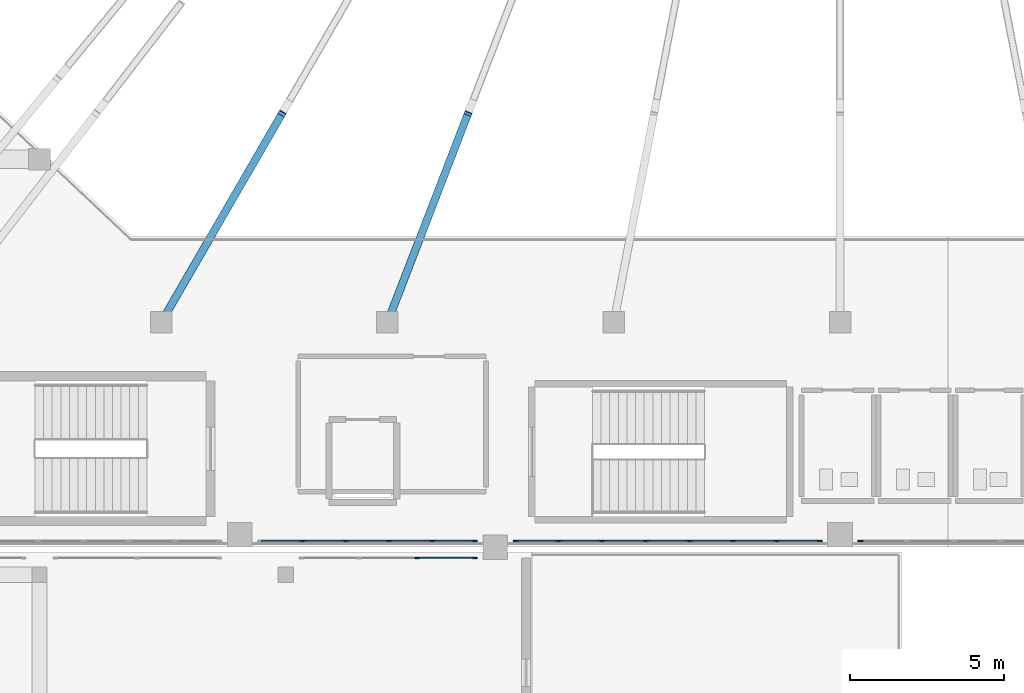
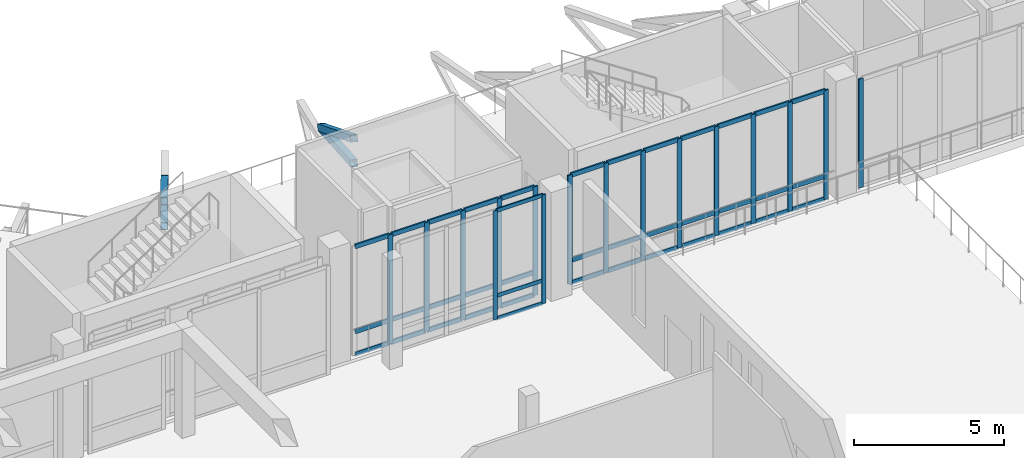
# One storey, part 8 of 79: 59 members, 4 elements without a shape of their own.
"""IFC4 building model written with IfcOpenShell, lengths in metres."""

import ifcopenshell
import ifcopenshell.guid

model = None  # the IFC model being written
_history = None  # IfcOwnerHistory: only IFC2X3 demands one
_inside = {}  # id of a spatial element -> (the spatial element, [elements in it])
_under = {}  # id of a project, library or spatial element -> (it, [spatial elements below it])
_declared = {}  # id of a project -> (the project, [libraries it declares])
_typed = {}  # id of a type object -> (the type object, [elements of that type])
_made_of = {}  # id of a material, layer set ... -> (it, [elements and type objects made of it])


def new_model(schema):
    """Start an empty IFC model of exactly this schema.

    Asked for "IFC4X3", IfcOpenShell would pick the latest addendum, in which some entities
    have other attributes; the version numbers below select the first issue.
    IFC2X3 requires an IfcOwnerHistory on every rooted entity: one is made here for all.
    """
    global model, _history
    if schema == "IFC4X3":
        model = ifcopenshell.file(schema_version=(4, 3, 0, 0))
    else:
        model = ifcopenshell.file(schema=schema)
    _inside.clear()
    _under.clear()
    _declared.clear()
    _typed.clear()
    _made_of.clear()
    _history = None
    if model.schema == "IFC2X3":
        org = make("IfcOrganization", Name="unknown")
        user = make(
            "IfcPersonAndOrganization",
            ThePerson=make("IfcPerson", FamilyName="unknown"),
            TheOrganization=org,
        )
        app = make(
            "IfcApplication",
            ApplicationDeveloper=org,
            Version="unknown",
            ApplicationFullName="unknown",
            ApplicationIdentifier="unknown",
        )
        _history = make(
            "IfcOwnerHistory",
            OwningUser=user,
            OwningApplication=app,
            ChangeAction="ADDED",
            CreationDate=0,
        )
    return model


def make(cls, **values):
    """One entity of the class cls with the attributes given. An attribute that is None is left unset."""
    return model.create_entity(
        cls, **{name: value for name, value in values.items() if value is not None}
    )


def rooted(cls, **values):
    """An entity with a GlobalId (a new one), such as an element, a storey or a relation."""
    return make(cls, GlobalId=ifcopenshell.guid.new(), OwnerHistory=_history, **values)


def si_unit(unit_type, name, prefix=None):
    """IfcSIUnit, for example si_unit("LENGTHUNIT", "METRE", prefix="MILLI")."""
    return make("IfcSIUnit", UnitType=unit_type, Prefix=prefix, Name=name)


def derived_unit(unit_type, elements):
    """IfcDerivedUnit: a product of units, each with its exponent."""
    return make(
        "IfcDerivedUnit",
        Elements=[
            make("IfcDerivedUnitElement", Unit=unit, Exponent=power)
            for unit, power in elements
        ],
        UnitType=unit_type,
    )


def assignment(units):
    """IfcUnitAssignment: the units of a project."""
    return None if units is None else make("IfcUnitAssignment", Units=units)


def point(xyz):
    """IfcCartesianPoint."""
    return None if xyz is None else make("IfcCartesianPoint", Coordinates=xyz)


def direction(xyz):
    """IfcDirection."""
    return None if xyz is None else make("IfcDirection", DirectionRatios=xyz)


def frame(location, z_axis=None, x_axis=None):
    """IfcAxis2Placement3D, a coordinate frame: its origin and axes. An axis left out is left unset."""
    return make(
        "IfcAxis2Placement3D",
        Location=point(location),
        Axis=direction(z_axis),
        RefDirection=direction(x_axis),
    )


def frame_2d(location, x_axis=None):
    """IfcAxis2Placement2D, a coordinate frame in the plane: its origin and x axis."""
    return make(
        "IfcAxis2Placement2D", Location=point(location), RefDirection=direction(x_axis)
    )


def origin():
    """The frame at (0, 0, 0) with its axes left unset."""
    return frame((0.0, 0.0, 0.0))


def origin_2d():
    """The frame at (0, 0) in the plane with its x axis left unset."""
    return frame_2d((0.0, 0.0))


def place(relative_to, where):
    """IfcLocalPlacement: puts the frame where relative to a parent placement (None: the world)."""
    return make(
        "IfcLocalPlacement", PlacementRelTo=relative_to, RelativePlacement=where
    )


def context(
    kind, dimensions, precision=None, world=None, true_north=None, identifier=None
):
    """IfcGeometricRepresentationContext, for example the 3D "Model" context."""
    return make(
        "IfcGeometricRepresentationContext",
        ContextIdentifier=identifier,
        ContextType=kind,
        CoordinateSpaceDimension=dimensions,
        Precision=precision,
        WorldCoordinateSystem=world,
        TrueNorth=true_north,
    )


def subcontext(parent, identifier, kind, view, scale=None):
    """IfcGeometricRepresentationSubContext, for example "Body" below "Model"."""
    return make(
        "IfcGeometricRepresentationSubContext",
        ContextIdentifier=identifier,
        ContextType=kind,
        ParentContext=parent,
        TargetScale=scale,
        TargetView=view,
    )


def project(units=None, contexts=None):
    """IfcProject with its units and contexts."""
    return rooted(
        "IfcProject",
        Name="project",
        RepresentationContexts=contexts,
        UnitsInContext=assignment(units),
    )


def spatial(cls, under=None, at=None, **own):
    """A site, building, storey or space (cls), placed at a placement, below another one or the project."""
    s = rooted(cls, ObjectPlacement=at, **own)
    if under is not None:
        _under.setdefault(under.id(), (under, []))[1].append(s)
    return s


def profile(cls, at=None, kind="AREA", **sizes):
    """A parametric profile (cls). Its sizes go by their IFC names, for example OverallWidth=200.0."""
    return make(cls, ProfileType=kind, Position=at, **sizes)


def rectangle(**sizes):
    """IfcRectangleProfileDef."""
    return profile("IfcRectangleProfileDef", **sizes)


def hollow_rectangle(**sizes):
    """IfcRectangleHollowProfileDef."""
    return profile("IfcRectangleHollowProfileDef", **sizes)


def extrude(swept, where, along, depth):
    """IfcExtrudedAreaSolid: the profile swept, set in the frame where, extruded along a direction by depth."""
    return make(
        "IfcExtrudedAreaSolid",
        SweptArea=swept,
        Position=where,
        ExtrudedDirection=direction(along),
        Depth=depth,
    )


def shape(context_of_items, identifier, shape_type, items):
    """IfcShapeRepresentation: the items that make up one representation, for example the "Body"."""
    return make(
        "IfcShapeRepresentation",
        ContextOfItems=context_of_items,
        RepresentationIdentifier=identifier,
        RepresentationType=shape_type,
        Items=items,
    )


def material(Name=None, Category=None):
    """IfcMaterial."""
    return make("IfcMaterial", Name=Name, Category=Category)


def layer(
    of_material, thickness, ventilated=None, Name=None, Category=None, Priority=None
):
    """IfcMaterialLayer: one layer of a wall or slab, of a material (None: an air gap)."""
    return make(
        "IfcMaterialLayer",
        Material=of_material,
        LayerThickness=thickness,
        IsVentilated=ventilated,
        Name=Name,
        Category=Category,
        Priority=Priority,
    )


def layer_set(layers, Name=None):
    """IfcMaterialLayerSet."""
    return make("IfcMaterialLayerSet", MaterialLayers=layers, LayerSetName=Name)


def material_profile(
    of_material, cross_section, Name=None, Category=None, Priority=None
):
    """IfcMaterialProfile: a cross section and its material."""
    return make(
        "IfcMaterialProfile",
        Name=Name,
        Material=of_material,
        Profile=cross_section,
        Priority=Priority,
        Category=Category,
    )


def profile_set(profiles, Name=None, composite=None):
    """IfcMaterialProfileSet."""
    return make(
        "IfcMaterialProfileSet",
        Name=Name,
        MaterialProfiles=profiles,
        CompositeProfile=composite,
    )


def made_of(thing, what):
    """Note that an element or type object is made of a material, layer set ...; save() writes the relation."""
    if what is not None:
        _made_of.setdefault(what.id(), (what, []))[1].append(thing)
    return thing


def type_object(cls, material=None, **own):
    """A type object (cls), such as IfcWallType, which elements share."""
    return made_of(rooted(cls, **own), material)


def element(
    cls,
    number,
    at=None,
    inside=None,
    cuts=None,
    type_object=None,
    material=None,
    context=None,
    identifier="Body",
    shape_type=None,
    held_by="IfcProductDefinitionShape",
    body=None,
    shapes=None,
    **own,
):
    """One element of the class cls, such as IfcWall. Its Tag is "e" and its number.

    at: its placement. inside: the storey or other place that contains it. cuts: it is an
    opening in that element (IfcRelVoidsElement). A single representation is given by context,
    identifier, shape_type and body (its items); several are given by shapes. held_by: the class
    of the entity that holds the representations. save() writes the other relations.
    """
    e = rooted(cls, Tag="e%d" % number, ObjectPlacement=at, **own)
    if body is not None:
        shapes = [shape(context, identifier, shape_type, body)]
    if shapes is not None:
        e.Representation = make(held_by, Representations=shapes)
    if inside is not None:
        _inside.setdefault(inside.id(), (inside, []))[1].append(e)
    if cuts is not None:
        rooted(
            "IfcRelVoidsElement", RelatingBuildingElement=cuts, RelatedOpeningElement=e
        )
    if type_object is not None:
        _typed.setdefault(type_object.id(), (type_object, []))[1].append(e)
    return made_of(e, material)


def aggregate(whole, parts):
    """IfcRelAggregates: a whole, such as a stair, and the parts it consists of."""
    return rooted("IfcRelAggregates", RelatingObject=whole, RelatedObjects=parts)


def save(model, path):
    """Write the relations noted so far, then the file.

    IfcRelAggregates (storeys below a building ...), IfcRelContainedInSpatialStructure (elements
    in a storey), IfcRelDefinesByType, IfcRelAssociatesMaterial and IfcRelDeclares: one each for
    every whole, place, type object, material and project.
    """
    for whole, parts in _under.values():
        aggregate(whole, parts)
    for where, things in _inside.values():
        rooted(
            "IfcRelContainedInSpatialStructure",
            RelatedElements=things,
            RelatingStructure=where,
        )
    for kind, things in _typed.values():
        rooted("IfcRelDefinesByType", RelatedObjects=things, RelatingType=kind)
    for what, things in _made_of.values():
        rooted("IfcRelAssociatesMaterial", RelatedObjects=things, RelatingMaterial=what)
    for by, libraries in _declared.values():
        rooted("IfcRelDeclares", RelatingContext=by, RelatedDefinitions=libraries)
    model.write(path)


model = new_model("IFC4")

# Units and contexts
model_context = context("Model", 3, precision=1e-05, world=origin(), true_north=direction((0.0, 1.0)))
body_context = subcontext(model_context, "Body", "Model", "MODEL_VIEW")
ifc_project = project(units=[si_unit("LENGTHUNIT", "METRE"), si_unit("AREAUNIT", "SQUARE_METRE"), si_unit("VOLUMEUNIT", "CUBIC_METRE"), si_unit("PLANEANGLEUNIT", "RADIAN"), si_unit("MASSUNIT", "GRAM", prefix="KILO"), derived_unit("THERMALTRANSMITTANCEUNIT", [(si_unit("MASSUNIT", "GRAM", prefix="KILO"), 1), (si_unit("TIMEUNIT", "SECOND"), -3), (si_unit("THERMODYNAMICTEMPERATUREUNIT", "KELVIN"), -1)])], contexts=[model_context])

# Site, building, storey
site_placement = place(None, origin())
site = spatial("IfcSite", under=ifc_project, at=site_placement, CompositionType="ELEMENT")
building_placement = place(site_placement, origin())
building = spatial("IfcBuilding", under=site, at=building_placement, Name="Valcora Ridge Arena", CompositionType="ELEMENT")
storey_placement = place(building_placement, frame((0.0, 0.0, 16.199951171875)))
storey = spatial("IfcBuildingStorey", under=building, at=storey_placement, Name="L03", CompositionType="ELEMENT", Elevation=16.199951171875)

# Curtain wall, members
ifc_material_1 = material(Name="Anodised dark bronze architectural aluminium 6063-T6", Category="aluminium")
ifc_layer_1 = layer(ifc_material_1, 0.14990234375, Name="Anodised dark bronze architectural aluminium 6063-T6")
ifc_layer_set_1 = layer_set([ifc_layer_1], Name="Anodised dark bronze architectural aluminium 6063-T6")
curtain_wall_type_1 = type_object("IfcCurtainWallType", Name="TY-CURTAINWALL-CW-V4-CLUB-057X44", PredefinedType="NOTDEFINED", material=ifc_layer_set_1)
curtain_wall_1_placement = place(storey_placement, origin())
curtain_wall_1 = element("IfcCurtainWall", 1, at=curtain_wall_1_placement, inside=storey, type_object=curtain_wall_type_1, Name="CW-V4-CLUB-057X44 CW-0284", PredefinedType="NOTDEFINED")
ifc_material_profile_1 = material_profile(ifc_material_1, rectangle(XDim=0.050048828125, YDim=0.14990234375, at=origin_2d()), Name="ALU MULLION 50x150")
ifc_profile_set_1 = profile_set([ifc_material_profile_1], Name="Anodised dark bronze architectural aluminium 6063-T6")
member_type_1 = type_object("IfcMemberType", Name="TY-MEM-CWM-50x150", PredefinedType="MULLION", material=ifc_profile_set_1)
member_1_placement = place(storey_placement, frame((44.27001953125, 19.64990234375, 0.0), z_axis=(0.0, 0.0, 1.0), x_axis=(0.0, 1.0, 0.0)))
member_1 = element("IfcMember", 2, at=member_1_placement, type_object=member_type_1, Name="CW-0284/CWM-50x150/M02", PredefinedType="MULLION", context=body_context, shape_type="SweptSolid", body=[
    extrude(rectangle(XDim=0.050048828125, YDim=0.14990234375, at=origin_2d()), origin(), (0.0, 0.0, 1.0), 4.43994140625),
])
member_2_placement = place(storey_placement, frame((46.135009765625, 19.64990234375, 0.0), z_axis=(0.0, 0.0, 1.0), x_axis=(0.0, 1.0, 0.0)))
member_2 = element("IfcMember", 3, at=member_2_placement, type_object=member_type_1, Name="CW-0284/CWM-50x150/M03", PredefinedType="MULLION", context=body_context, shape_type="SweptSolid", body=[
    extrude(rectangle(XDim=0.050048828125, YDim=0.14990234375, at=origin_2d()), origin(), (0.0, 0.0, 1.0), 4.43994140625),
])

ifc_layer_2 = layer(ifc_material_1, 0.179931640625, Name="Anodised dark bronze architectural aluminium 6063-T6")
ifc_layer_set_2 = layer_set([ifc_layer_2], Name="Anodised dark bronze architectural aluminium 6063-T6")
curtain_wall_type_2 = type_object("IfcCurtainWallType", Name="TY-CURTAINWALL-CW-V1-GOTH-070X44", PredefinedType="NOTDEFINED", material=ifc_layer_set_2)
curtain_wall_2_placement = place(storey_placement, origin())
curtain_wall_2 = element("IfcCurtainWall", 4, at=curtain_wall_2_placement, inside=storey, type_object=curtain_wall_type_2, Name="CW-V1-GOTH-070X44 CW-0137", PredefinedType="NOTDEFINED")
ifc_material_profile_2 = material_profile(ifc_material_1, rectangle(XDim=0.06005859375, YDim=0.179931640625, at=origin_2d()), Name="ALU MULLION 60x180")
ifc_profile_set_2 = profile_set([ifc_material_profile_2], Name="Anodised dark bronze architectural aluminium 6063-T6")
member_type_2 = type_object("IfcMemberType", Name="TY-MEM-CWM-60x180", PredefinedType="MULLION", material=ifc_profile_set_2)
member_3_placement = place(storey_placement, frame((40.5439453125, 20.199951171875, 0.0), z_axis=(0.0, 0.0, 1.0), x_axis=(0.0, 1.0, 0.0)))
member_3 = element("IfcMember", 5, at=member_3_placement, type_object=member_type_2, Name="CW-0137/CWM-60x180/M01", PredefinedType="MULLION", context=body_context, shape_type="SweptSolid", body=[
    extrude(rectangle(XDim=0.06005859375, YDim=0.179931640625, at=origin_2d()), origin(), (0.0, 0.0, 1.0), 4.43994140625),
])
member_4_placement = place(storey_placement, frame((41.947998046875, 20.199951171875, 0.0), z_axis=(0.0, 0.0, 1.0), x_axis=(0.0, 1.0, 0.0)))
member_4 = element("IfcMember", 6, at=member_4_placement, type_object=member_type_2, Name="CW-0137/CWM-60x180/M02", PredefinedType="MULLION", context=body_context, shape_type="SweptSolid", body=[
    extrude(rectangle(XDim=0.06005859375, YDim=0.179931640625, at=origin_2d()), origin(), (0.0, 0.0, 1.0), 4.43994140625),
])
member_5_placement = place(storey_placement, frame((43.35205078125, 20.199951171875, 0.0), z_axis=(0.0, 0.0, 1.0), x_axis=(0.0, 1.0, 0.0)))
member_5 = element("IfcMember", 7, at=member_5_placement, type_object=member_type_2, Name="CW-0137/CWM-60x180/M03", PredefinedType="MULLION", context=body_context, shape_type="SweptSolid", body=[
    extrude(rectangle(XDim=0.06005859375, YDim=0.179931640625, at=origin_2d()), origin(), (0.0, 0.0, 1.0), 4.43994140625),
])
member_6_placement = place(storey_placement, frame((44.756103515625, 20.199951171875, 0.0), z_axis=(0.0, 0.0, 1.0), x_axis=(0.0, 1.0, 0.0)))
member_6 = element("IfcMember", 8, at=member_6_placement, type_object=member_type_2, Name="CW-0137/CWM-60x180/M04", PredefinedType="MULLION", context=body_context, shape_type="SweptSolid", body=[
    extrude(rectangle(XDim=0.06005859375, YDim=0.179931640625, at=origin_2d()), origin(), (0.0, 0.0, 1.0), 4.43994140625),
])
member_7_placement = place(storey_placement, frame((46.1298828125, 20.199951171875, 0.0), z_axis=(0.0, 0.0, 1.0), x_axis=(0.0, 1.0, 0.0)))
member_7 = element("IfcMember", 9, at=member_7_placement, type_object=member_type_2, Name="CW-0137/CWM-60x180/M05", PredefinedType="MULLION", context=body_context, shape_type="SweptSolid", body=[
    extrude(rectangle(XDim=0.06005859375, YDim=0.179931640625, at=origin_2d()), origin(), (0.0, 0.0, 1.0), 4.43994140625),
])

ifc_layer_3 = layer(ifc_material_1, 0.179931640625, Name="Anodised dark bronze architectural aluminium 6063-T6")
ifc_layer_set_3 = layer_set([ifc_layer_3], Name="Anodised dark bronze architectural aluminium 6063-T6")
curtain_wall_type_3 = type_object("IfcCurtainWallType", Name="TY-CURTAINWALL-CW-V1-GOTH-099X44", PredefinedType="NOTDEFINED", material=ifc_layer_set_3)
curtain_wall_3_placement = place(storey_placement, origin())
curtain_wall_3 = element("IfcCurtainWall", 10, at=curtain_wall_3_placement, inside=storey, type_object=curtain_wall_type_3, Name="CW-V1-GOTH-099X44 CW-0138", PredefinedType="NOTDEFINED")
member_8_placement = place(storey_placement, frame((47.469970703125, 20.199951171875, 0.0), z_axis=(0.0, 0.0, 1.0), x_axis=(0.0, 1.0, 0.0)))
member_8 = element("IfcMember", 11, at=member_8_placement, type_object=member_type_2, Name="CW-0138/CWM-60x180/M00", PredefinedType="MULLION", context=body_context, shape_type="SweptSolid", body=[
    extrude(rectangle(XDim=0.06005859375, YDim=0.179931640625, at=origin_2d()), origin(), (0.0, 0.0, 1.0), 4.43994140625),
])
member_9_placement = place(storey_placement, frame((48.857177734375, 20.199951171875, 0.0), z_axis=(0.0, 0.0, 1.0), x_axis=(0.0, 1.0, 0.0)))
member_9 = element("IfcMember", 12, at=member_9_placement, type_object=member_type_2, Name="CW-0138/CWM-60x180/M01", PredefinedType="MULLION", context=body_context, shape_type="SweptSolid", body=[
    extrude(rectangle(XDim=0.06005859375, YDim=0.179931640625, at=origin_2d()), origin(), (0.0, 0.0, 1.0), 4.43994140625),
])
member_10_placement = place(storey_placement, frame((50.2744140625, 20.199951171875, 0.0), z_axis=(0.0, 0.0, 1.0), x_axis=(0.0, 1.0, 0.0)))
member_10 = element("IfcMember", 13, at=member_10_placement, type_object=member_type_2, Name="CW-0138/CWM-60x180/M02", PredefinedType="MULLION", context=body_context, shape_type="SweptSolid", body=[
    extrude(rectangle(XDim=0.06005859375, YDim=0.179931640625, at=origin_2d()), origin(), (0.0, 0.0, 1.0), 4.43994140625),
])
member_11_placement = place(storey_placement, frame((51.69140625, 20.199951171875, 0.0), z_axis=(0.0, 0.0, 1.0), x_axis=(0.0, 1.0, 0.0)))
member_11 = element("IfcMember", 14, at=member_11_placement, type_object=member_type_2, Name="CW-0138/CWM-60x180/M03", PredefinedType="MULLION", context=body_context, shape_type="SweptSolid", body=[
    extrude(rectangle(XDim=0.06005859375, YDim=0.179931640625, at=origin_2d()), origin(), (0.0, 0.0, 1.0), 4.43994140625),
])
member_12_placement = place(storey_placement, frame((53.108642578125, 20.199951171875, 0.0), z_axis=(0.0, 0.0, 1.0), x_axis=(0.0, 1.0, 0.0)))
member_12 = element("IfcMember", 15, at=member_12_placement, type_object=member_type_2, Name="CW-0138/CWM-60x180/M04", PredefinedType="MULLION", context=body_context, shape_type="SweptSolid", body=[
    extrude(rectangle(XDim=0.06005859375, YDim=0.179931640625, at=origin_2d()), origin(), (0.0, 0.0, 1.0), 4.43994140625),
])
member_13_placement = place(storey_placement, frame((54.525634765625, 20.199951171875, 0.0), z_axis=(0.0, 0.0, 1.0), x_axis=(0.0, 1.0, 0.0)))
member_13 = element("IfcMember", 16, at=member_13_placement, type_object=member_type_2, Name="CW-0138/CWM-60x180/M05", PredefinedType="MULLION", context=body_context, shape_type="SweptSolid", body=[
    extrude(rectangle(XDim=0.06005859375, YDim=0.179931640625, at=origin_2d()), origin(), (0.0, 0.0, 1.0), 4.43994140625),
])
member_14_placement = place(storey_placement, frame((55.94287109375, 20.199951171875, 0.0), z_axis=(0.0, 0.0, 1.0), x_axis=(0.0, 1.0, 0.0)))
member_14 = element("IfcMember", 17, at=member_14_placement, type_object=member_type_2, Name="CW-0138/CWM-60x180/M06", PredefinedType="MULLION", context=body_context, shape_type="SweptSolid", body=[
    extrude(rectangle(XDim=0.06005859375, YDim=0.179931640625, at=origin_2d()), origin(), (0.0, 0.0, 1.0), 4.43994140625),
])
member_15_placement = place(storey_placement, frame((57.330078125, 20.199951171875, 0.0), z_axis=(0.0, 0.0, 1.0), x_axis=(0.0, 1.0, 0.0)))
member_15 = element("IfcMember", 18, at=member_15_placement, type_object=member_type_2, Name="CW-0138/CWM-60x180/M07", PredefinedType="MULLION", context=body_context, shape_type="SweptSolid", body=[
    extrude(rectangle(XDim=0.06005859375, YDim=0.179931640625, at=origin_2d()), origin(), (0.0, 0.0, 1.0), 4.43994140625),
])

# Curtain wall, member
ifc_layer_4 = layer(ifc_material_1, 0.179931640625, Name="Anodised dark bronze architectural aluminium 6063-T6")
ifc_layer_set_4 = layer_set([ifc_layer_4], Name="Anodised dark bronze architectural aluminium 6063-T6")
curtain_wall_type_4 = type_object("IfcCurtainWallType", Name="TY-CURTAINWALL-CW-V1-GOTH-107X44", PredefinedType="NOTDEFINED", material=ifc_layer_set_4)
curtain_wall_4_placement = place(storey_placement, origin())
curtain_wall_4 = element("IfcCurtainWall", 19, at=curtain_wall_4_placement, inside=storey, type_object=curtain_wall_type_4, Name="CW-V1-GOTH-107X44 CW-0139", PredefinedType="NOTDEFINED")
member_16_placement = place(storey_placement, frame((58.669921875, 20.199951171875, 0.0), z_axis=(0.0, 0.0, 1.0), x_axis=(0.0, 1.0, 0.0)))
member_16 = element("IfcMember", 20, at=member_16_placement, type_object=member_type_2, Name="CW-0139/CWM-60x180/M00", PredefinedType="MULLION", context=body_context, shape_type="SweptSolid", body=[
    extrude(rectangle(XDim=0.06005859375, YDim=0.179931640625, at=origin_2d()), origin(), (0.0, 0.0, 1.0), 4.43994140625),
])
aggregate(curtain_wall_4, [member_16])

# Member
ifc_material_profile_3 = material_profile(ifc_material_1, rectangle(XDim=0.050048828125, YDim=0.14990234375, at=origin_2d()), Name="ALU TRANSOM 50x150")
ifc_profile_set_3 = profile_set([ifc_material_profile_3], Name="Anodised dark bronze architectural aluminium 6063-T6")
member_type_3 = type_object("IfcMemberType", Name="TY-MEM-CWT-50x150", PredefinedType="USERDEFINED", material=ifc_profile_set_3)
member_17_placement = place(storey_placement, frame((44.294921875, 19.64990234375, 0.025146484375), z_axis=(1.0, 0.0, 0.0), x_axis=(0.0, 1.0, 0.0)))
member_17 = element("IfcMember", 21, at=member_17_placement, type_object=member_type_3, Name="CW-0284/CWT-50x150/T02-00", ObjectType="TRANSOM", PredefinedType="USERDEFINED", context=body_context, shape_type="SweptSolid", body=[
    extrude(rectangle(XDim=0.050048828125, YDim=0.14990234375, at=origin_2d()), origin(), (0.0, 0.0, 1.0), 1.815185546875),
])

member_18_placement = place(storey_placement, frame((44.294921875, 19.64990234375, 0.949951171875), z_axis=(1.0, 0.0, 0.0), x_axis=(0.0, 1.0, 0.0)))
member_18 = element("IfcMember", 22, at=member_18_placement, type_object=member_type_3, Name="CW-0284/CWT-50x150/T02-01", ObjectType="TRANSOM", PredefinedType="USERDEFINED", context=body_context, shape_type="SweptSolid", body=[
    extrude(rectangle(XDim=0.050048828125, YDim=0.14990234375, at=origin_2d()), origin(), (0.0, 0.0, 1.0), 1.815185546875),
])

member_19_placement = place(storey_placement, frame((44.294921875, 19.64990234375, 4.4150390625), z_axis=(1.0, 0.0, 0.0), x_axis=(0.0, 1.0, 0.0)))
member_19 = element("IfcMember", 23, at=member_19_placement, type_object=member_type_3, Name="CW-0284/CWT-50x150/T02-02", ObjectType="TRANSOM", PredefinedType="USERDEFINED", context=body_context, shape_type="SweptSolid", body=[
    extrude(rectangle(XDim=0.050048828125, YDim=0.14990234375, at=origin_2d()), origin(), (0.0, 0.0, 1.0), 1.815185546875),
])

aggregate(curtain_wall_1, [member_1, member_2, member_17, member_18, member_19])

ifc_material_profile_4 = material_profile(ifc_material_1, rectangle(XDim=0.06005859375, YDim=0.179931640625, at=origin_2d()), Name="ALU TRANSOM 60x180")
ifc_profile_set_4 = profile_set([ifc_material_profile_4], Name="Anodised dark bronze architectural aluminium 6063-T6")
member_type_4 = type_object("IfcMemberType", Name="TY-MEM-CWT-60x180", PredefinedType="USERDEFINED", material=ifc_profile_set_4)
member_20_placement = place(storey_placement, frame((39.199951171875, 20.199951171875, 0.030029296875), z_axis=(1.0, 0.0, 0.0), x_axis=(0.0, 1.0, 0.0)))
member_20 = element("IfcMember", 24, at=member_20_placement, type_object=member_type_4, Name="CW-0137/CWT-60x180/T00-00", ObjectType="TRANSOM", PredefinedType="USERDEFINED", context=body_context, shape_type="SweptSolid", body=[
    extrude(rectangle(XDim=0.06005859375, YDim=0.179931640625, at=origin_2d()), origin(), (0.0, 0.0, 1.0), 1.31396484375),
])

member_21_placement = place(storey_placement, frame((39.199951171875, 20.199951171875, 0.949951171875), z_axis=(1.0, 0.0, 0.0), x_axis=(0.0, 1.0, 0.0)))
member_21 = element("IfcMember", 25, at=member_21_placement, type_object=member_type_4, Name="CW-0137/CWT-60x180/T00-01", ObjectType="TRANSOM", PredefinedType="USERDEFINED", context=body_context, shape_type="SweptSolid", body=[
    extrude(rectangle(XDim=0.06005859375, YDim=0.179931640625, at=origin_2d()), origin(), (0.0, 0.0, 1.0), 1.31396484375),
])

member_22_placement = place(storey_placement, frame((39.199951171875, 20.199951171875, 4.41015625), z_axis=(1.0, 0.0, 0.0), x_axis=(0.0, 1.0, 0.0)))
member_22 = element("IfcMember", 26, at=member_22_placement, type_object=member_type_4, Name="CW-0137/CWT-60x180/T00-02", ObjectType="TRANSOM", PredefinedType="USERDEFINED", context=body_context, shape_type="SweptSolid", body=[
    extrude(rectangle(XDim=0.06005859375, YDim=0.179931640625, at=origin_2d()), origin(), (0.0, 0.0, 1.0), 1.31396484375),
])

member_23_placement = place(storey_placement, frame((40.573974609375, 20.199951171875, 0.030029296875), z_axis=(1.0, 0.0, 0.0), x_axis=(0.0, 1.0, 0.0)))
member_23 = element("IfcMember", 27, at=member_23_placement, type_object=member_type_4, Name="CW-0137/CWT-60x180/T01-00", ObjectType="TRANSOM", PredefinedType="USERDEFINED", context=body_context, shape_type="SweptSolid", body=[
    extrude(rectangle(XDim=0.06005859375, YDim=0.179931640625, at=origin_2d()), origin(), (0.0, 0.0, 1.0), 1.343994140625),
])

member_24_placement = place(storey_placement, frame((40.573974609375, 20.199951171875, 0.949951171875), z_axis=(1.0, 0.0, 0.0), x_axis=(0.0, 1.0, 0.0)))
member_24 = element("IfcMember", 28, at=member_24_placement, type_object=member_type_4, Name="CW-0137/CWT-60x180/T01-01", ObjectType="TRANSOM", PredefinedType="USERDEFINED", context=body_context, shape_type="SweptSolid", body=[
    extrude(rectangle(XDim=0.06005859375, YDim=0.179931640625, at=origin_2d()), origin(), (0.0, 0.0, 1.0), 1.343994140625),
])

member_25_placement = place(storey_placement, frame((40.573974609375, 20.199951171875, 4.41015625), z_axis=(1.0, 0.0, 0.0), x_axis=(0.0, 1.0, 0.0)))
member_25 = element("IfcMember", 29, at=member_25_placement, type_object=member_type_4, Name="CW-0137/CWT-60x180/T01-02", ObjectType="TRANSOM", PredefinedType="USERDEFINED", context=body_context, shape_type="SweptSolid", body=[
    extrude(rectangle(XDim=0.06005859375, YDim=0.179931640625, at=origin_2d()), origin(), (0.0, 0.0, 1.0), 1.343994140625),
])

member_26_placement = place(storey_placement, frame((41.97802734375, 20.199951171875, 0.030029296875), z_axis=(1.0, 0.0, 0.0), x_axis=(0.0, 1.0, 0.0)))
member_26 = element("IfcMember", 30, at=member_26_placement, type_object=member_type_4, Name="CW-0137/CWT-60x180/T02-00", ObjectType="TRANSOM", PredefinedType="USERDEFINED", context=body_context, shape_type="SweptSolid", body=[
    extrude(rectangle(XDim=0.06005859375, YDim=0.179931640625, at=origin_2d()), origin(), (0.0, 0.0, 1.0), 1.343994140625),
])

member_27_placement = place(storey_placement, frame((41.97802734375, 20.199951171875, 0.949951171875), z_axis=(1.0, 0.0, 0.0), x_axis=(0.0, 1.0, 0.0)))
member_27 = element("IfcMember", 31, at=member_27_placement, type_object=member_type_4, Name="CW-0137/CWT-60x180/T02-01", ObjectType="TRANSOM", PredefinedType="USERDEFINED", context=body_context, shape_type="SweptSolid", body=[
    extrude(rectangle(XDim=0.06005859375, YDim=0.179931640625, at=origin_2d()), origin(), (0.0, 0.0, 1.0), 1.343994140625),
])

member_28_placement = place(storey_placement, frame((41.97802734375, 20.199951171875, 4.41015625), z_axis=(1.0, 0.0, 0.0), x_axis=(0.0, 1.0, 0.0)))
member_28 = element("IfcMember", 32, at=member_28_placement, type_object=member_type_4, Name="CW-0137/CWT-60x180/T02-02", ObjectType="TRANSOM", PredefinedType="USERDEFINED", context=body_context, shape_type="SweptSolid", body=[
    extrude(rectangle(XDim=0.06005859375, YDim=0.179931640625, at=origin_2d()), origin(), (0.0, 0.0, 1.0), 1.343994140625),
])

member_29_placement = place(storey_placement, frame((43.382080078125, 20.199951171875, 0.030029296875), z_axis=(1.0, 0.0, 0.0), x_axis=(0.0, 1.0, 0.0)))
member_29 = element("IfcMember", 33, at=member_29_placement, type_object=member_type_4, Name="CW-0137/CWT-60x180/T03-00", ObjectType="TRANSOM", PredefinedType="USERDEFINED", context=body_context, shape_type="SweptSolid", body=[
    extrude(rectangle(XDim=0.06005859375, YDim=0.179931640625, at=origin_2d()), origin(), (0.0, 0.0, 1.0), 1.343994140625),
])

member_30_placement = place(storey_placement, frame((43.382080078125, 20.199951171875, 0.949951171875), z_axis=(1.0, 0.0, 0.0), x_axis=(0.0, 1.0, 0.0)))
member_30 = element("IfcMember", 34, at=member_30_placement, type_object=member_type_4, Name="CW-0137/CWT-60x180/T03-01", ObjectType="TRANSOM", PredefinedType="USERDEFINED", context=body_context, shape_type="SweptSolid", body=[
    extrude(rectangle(XDim=0.06005859375, YDim=0.179931640625, at=origin_2d()), origin(), (0.0, 0.0, 1.0), 1.343994140625),
])

member_31_placement = place(storey_placement, frame((43.382080078125, 20.199951171875, 4.41015625), z_axis=(1.0, 0.0, 0.0), x_axis=(0.0, 1.0, 0.0)))
member_31 = element("IfcMember", 35, at=member_31_placement, type_object=member_type_4, Name="CW-0137/CWT-60x180/T03-02", ObjectType="TRANSOM", PredefinedType="USERDEFINED", context=body_context, shape_type="SweptSolid", body=[
    extrude(rectangle(XDim=0.06005859375, YDim=0.179931640625, at=origin_2d()), origin(), (0.0, 0.0, 1.0), 1.343994140625),
])

member_32_placement = place(storey_placement, frame((44.785888671875, 20.199951171875, 0.030029296875), z_axis=(1.0, 0.0, 0.0), x_axis=(0.0, 1.0, 0.0)))
member_32 = element("IfcMember", 36, at=member_32_placement, type_object=member_type_4, Name="CW-0137/CWT-60x180/T04-00", ObjectType="TRANSOM", PredefinedType="USERDEFINED", context=body_context, shape_type="SweptSolid", body=[
    extrude(rectangle(XDim=0.06005859375, YDim=0.179931640625, at=origin_2d()), origin(), (0.0, 0.0, 1.0), 1.314208984375),
])

member_33_placement = place(storey_placement, frame((44.785888671875, 20.199951171875, 0.949951171875), z_axis=(1.0, 0.0, 0.0), x_axis=(0.0, 1.0, 0.0)))
member_33 = element("IfcMember", 37, at=member_33_placement, type_object=member_type_4, Name="CW-0137/CWT-60x180/T04-01", ObjectType="TRANSOM", PredefinedType="USERDEFINED", context=body_context, shape_type="SweptSolid", body=[
    extrude(rectangle(XDim=0.06005859375, YDim=0.179931640625, at=origin_2d()), origin(), (0.0, 0.0, 1.0), 1.314208984375),
])

member_34_placement = place(storey_placement, frame((44.785888671875, 20.199951171875, 4.41015625), z_axis=(1.0, 0.0, 0.0), x_axis=(0.0, 1.0, 0.0)))
member_34 = element("IfcMember", 38, at=member_34_placement, type_object=member_type_4, Name="CW-0137/CWT-60x180/T04-02", ObjectType="TRANSOM", PredefinedType="USERDEFINED", context=body_context, shape_type="SweptSolid", body=[
    extrude(rectangle(XDim=0.06005859375, YDim=0.179931640625, at=origin_2d()), origin(), (0.0, 0.0, 1.0), 1.314208984375),
])

aggregate(curtain_wall_2, [member_3, member_4, member_5, member_6, member_7, member_20, member_21, member_22, member_23, member_24, member_25, member_26, member_27, member_28, member_29, member_30, member_31, member_32, member_33, member_34])

member_35_placement = place(storey_placement, frame((47.5, 20.199951171875, 0.030029296875), z_axis=(1.0, 0.0, 0.0), x_axis=(0.0, 1.0, 0.0)))
member_35 = element("IfcMember", 39, at=member_35_placement, type_object=member_type_4, Name="CW-0138/CWT-60x180/T00-00", ObjectType="TRANSOM", PredefinedType="USERDEFINED", context=body_context, shape_type="SweptSolid", body=[
    extrude(rectangle(XDim=0.06005859375, YDim=0.179931640625, at=origin_2d()), origin(), (0.0, 0.0, 1.0), 1.326904296875),
])

member_36_placement = place(storey_placement, frame((47.5, 20.199951171875, 0.949951171875), z_axis=(1.0, 0.0, 0.0), x_axis=(0.0, 1.0, 0.0)))
member_36 = element("IfcMember", 40, at=member_36_placement, type_object=member_type_4, Name="CW-0138/CWT-60x180/T00-01", ObjectType="TRANSOM", PredefinedType="USERDEFINED", context=body_context, shape_type="SweptSolid", body=[
    extrude(rectangle(XDim=0.06005859375, YDim=0.179931640625, at=origin_2d()), origin(), (0.0, 0.0, 1.0), 1.326904296875),
])

member_37_placement = place(storey_placement, frame((47.5, 20.199951171875, 4.41015625), z_axis=(1.0, 0.0, 0.0), x_axis=(0.0, 1.0, 0.0)))
member_37 = element("IfcMember", 41, at=member_37_placement, type_object=member_type_4, Name="CW-0138/CWT-60x180/T00-02", ObjectType="TRANSOM", PredefinedType="USERDEFINED", context=body_context, shape_type="SweptSolid", body=[
    extrude(rectangle(XDim=0.06005859375, YDim=0.179931640625, at=origin_2d()), origin(), (0.0, 0.0, 1.0), 1.326904296875),
])

member_38_placement = place(storey_placement, frame((48.886962890625, 20.199951171875, 0.030029296875), z_axis=(1.0, 0.0, 0.0), x_axis=(0.0, 1.0, 0.0)))
member_38 = element("IfcMember", 42, at=member_38_placement, type_object=member_type_4, Name="CW-0138/CWT-60x180/T01-00", ObjectType="TRANSOM", PredefinedType="USERDEFINED", context=body_context, shape_type="SweptSolid", body=[
    extrude(rectangle(XDim=0.06005859375, YDim=0.179931640625, at=origin_2d()), origin(), (0.0, 0.0, 1.0), 1.35693359375),
])

member_39_placement = place(storey_placement, frame((48.886962890625, 20.199951171875, 0.949951171875), z_axis=(1.0, 0.0, 0.0), x_axis=(0.0, 1.0, 0.0)))
member_39 = element("IfcMember", 43, at=member_39_placement, type_object=member_type_4, Name="CW-0138/CWT-60x180/T01-01", ObjectType="TRANSOM", PredefinedType="USERDEFINED", context=body_context, shape_type="SweptSolid", body=[
    extrude(rectangle(XDim=0.06005859375, YDim=0.179931640625, at=origin_2d()), origin(), (0.0, 0.0, 1.0), 1.35693359375),
])

member_40_placement = place(storey_placement, frame((48.886962890625, 20.199951171875, 4.41015625), z_axis=(1.0, 0.0, 0.0), x_axis=(0.0, 1.0, 0.0)))
member_40 = element("IfcMember", 44, at=member_40_placement, type_object=member_type_4, Name="CW-0138/CWT-60x180/T01-02", ObjectType="TRANSOM", PredefinedType="USERDEFINED", context=body_context, shape_type="SweptSolid", body=[
    extrude(rectangle(XDim=0.06005859375, YDim=0.179931640625, at=origin_2d()), origin(), (0.0, 0.0, 1.0), 1.35693359375),
])

member_41_placement = place(storey_placement, frame((50.303955078125, 20.199951171875, 0.030029296875), z_axis=(1.0, 0.0, 0.0), x_axis=(0.0, 1.0, 0.0)))
member_41 = element("IfcMember", 45, at=member_41_placement, type_object=member_type_4, Name="CW-0138/CWT-60x180/T02-00", ObjectType="TRANSOM", PredefinedType="USERDEFINED", context=body_context, shape_type="SweptSolid", body=[
    extrude(rectangle(XDim=0.06005859375, YDim=0.179931640625, at=origin_2d()), origin(), (0.0, 0.0, 1.0), 1.35693359375),
])

member_42_placement = place(storey_placement, frame((50.303955078125, 20.199951171875, 0.949951171875), z_axis=(1.0, 0.0, 0.0), x_axis=(0.0, 1.0, 0.0)))
member_42 = element("IfcMember", 46, at=member_42_placement, type_object=member_type_4, Name="CW-0138/CWT-60x180/T02-01", ObjectType="TRANSOM", PredefinedType="USERDEFINED", context=body_context, shape_type="SweptSolid", body=[
    extrude(rectangle(XDim=0.06005859375, YDim=0.179931640625, at=origin_2d()), origin(), (0.0, 0.0, 1.0), 1.35693359375),
])

member_43_placement = place(storey_placement, frame((50.303955078125, 20.199951171875, 4.41015625), z_axis=(1.0, 0.0, 0.0), x_axis=(0.0, 1.0, 0.0)))
member_43 = element("IfcMember", 47, at=member_43_placement, type_object=member_type_4, Name="CW-0138/CWT-60x180/T02-02", ObjectType="TRANSOM", PredefinedType="USERDEFINED", context=body_context, shape_type="SweptSolid", body=[
    extrude(rectangle(XDim=0.06005859375, YDim=0.179931640625, at=origin_2d()), origin(), (0.0, 0.0, 1.0), 1.35693359375),
])

member_44_placement = place(storey_placement, frame((51.720947265625, 20.199951171875, 0.030029296875), z_axis=(1.0, 0.0, 0.0), x_axis=(0.0, 1.0, 0.0)))
member_44 = element("IfcMember", 48, at=member_44_placement, type_object=member_type_4, Name="CW-0138/CWT-60x180/T03-00", ObjectType="TRANSOM", PredefinedType="USERDEFINED", context=body_context, shape_type="SweptSolid", body=[
    extrude(rectangle(XDim=0.06005859375, YDim=0.179931640625, at=origin_2d()), origin(), (0.0, 0.0, 1.0), 1.358154296875),
])

member_45_placement = place(storey_placement, frame((51.720947265625, 20.199951171875, 0.949951171875), z_axis=(1.0, 0.0, 0.0), x_axis=(0.0, 1.0, 0.0)))
member_45 = element("IfcMember", 49, at=member_45_placement, type_object=member_type_4, Name="CW-0138/CWT-60x180/T03-01", ObjectType="TRANSOM", PredefinedType="USERDEFINED", context=body_context, shape_type="SweptSolid", body=[
    extrude(rectangle(XDim=0.06005859375, YDim=0.179931640625, at=origin_2d()), origin(), (0.0, 0.0, 1.0), 1.358154296875),
])

member_46_placement = place(storey_placement, frame((51.720947265625, 20.199951171875, 4.41015625), z_axis=(1.0, 0.0, 0.0), x_axis=(0.0, 1.0, 0.0)))
member_46 = element("IfcMember", 50, at=member_46_placement, type_object=member_type_4, Name="CW-0138/CWT-60x180/T03-02", ObjectType="TRANSOM", PredefinedType="USERDEFINED", context=body_context, shape_type="SweptSolid", body=[
    extrude(rectangle(XDim=0.06005859375, YDim=0.179931640625, at=origin_2d()), origin(), (0.0, 0.0, 1.0), 1.358154296875),
])

member_47_placement = place(storey_placement, frame((53.138916015625, 20.199951171875, 0.030029296875), z_axis=(1.0, 0.0, 0.0), x_axis=(0.0, 1.0, 0.0)))
member_47 = element("IfcMember", 51, at=member_47_placement, type_object=member_type_4, Name="CW-0138/CWT-60x180/T04-00", ObjectType="TRANSOM", PredefinedType="USERDEFINED", context=body_context, shape_type="SweptSolid", body=[
    extrude(rectangle(XDim=0.06005859375, YDim=0.179931640625, at=origin_2d()), origin(), (0.0, 0.0, 1.0), 1.357177734375),
])

member_48_placement = place(storey_placement, frame((53.138916015625, 20.199951171875, 0.949951171875), z_axis=(1.0, 0.0, 0.0), x_axis=(0.0, 1.0, 0.0)))
member_48 = element("IfcMember", 52, at=member_48_placement, type_object=member_type_4, Name="CW-0138/CWT-60x180/T04-01", ObjectType="TRANSOM", PredefinedType="USERDEFINED", context=body_context, shape_type="SweptSolid", body=[
    extrude(rectangle(XDim=0.06005859375, YDim=0.179931640625, at=origin_2d()), origin(), (0.0, 0.0, 1.0), 1.357177734375),
])

member_49_placement = place(storey_placement, frame((53.138916015625, 20.199951171875, 4.41015625), z_axis=(1.0, 0.0, 0.0), x_axis=(0.0, 1.0, 0.0)))
member_49 = element("IfcMember", 53, at=member_49_placement, type_object=member_type_4, Name="CW-0138/CWT-60x180/T04-02", ObjectType="TRANSOM", PredefinedType="USERDEFINED", context=body_context, shape_type="SweptSolid", body=[
    extrude(rectangle(XDim=0.06005859375, YDim=0.179931640625, at=origin_2d()), origin(), (0.0, 0.0, 1.0), 1.357177734375),
])

member_50_placement = place(storey_placement, frame((54.555908203125, 20.199951171875, 0.030029296875), z_axis=(1.0, 0.0, 0.0), x_axis=(0.0, 1.0, 0.0)))
member_50 = element("IfcMember", 54, at=member_50_placement, type_object=member_type_4, Name="CW-0138/CWT-60x180/T05-00", ObjectType="TRANSOM", PredefinedType="USERDEFINED", context=body_context, shape_type="SweptSolid", body=[
    extrude(rectangle(XDim=0.06005859375, YDim=0.179931640625, at=origin_2d()), origin(), (0.0, 0.0, 1.0), 1.357177734375),
])

member_51_placement = place(storey_placement, frame((54.555908203125, 20.199951171875, 0.949951171875), z_axis=(1.0, 0.0, 0.0), x_axis=(0.0, 1.0, 0.0)))
member_51 = element("IfcMember", 55, at=member_51_placement, type_object=member_type_4, Name="CW-0138/CWT-60x180/T05-01", ObjectType="TRANSOM", PredefinedType="USERDEFINED", context=body_context, shape_type="SweptSolid", body=[
    extrude(rectangle(XDim=0.06005859375, YDim=0.179931640625, at=origin_2d()), origin(), (0.0, 0.0, 1.0), 1.357177734375),
])

member_52_placement = place(storey_placement, frame((54.555908203125, 20.199951171875, 4.41015625), z_axis=(1.0, 0.0, 0.0), x_axis=(0.0, 1.0, 0.0)))
member_52 = element("IfcMember", 56, at=member_52_placement, type_object=member_type_4, Name="CW-0138/CWT-60x180/T05-02", ObjectType="TRANSOM", PredefinedType="USERDEFINED", context=body_context, shape_type="SweptSolid", body=[
    extrude(rectangle(XDim=0.06005859375, YDim=0.179931640625, at=origin_2d()), origin(), (0.0, 0.0, 1.0), 1.357177734375),
])

member_53_placement = place(storey_placement, frame((55.972900390625, 20.199951171875, 0.030029296875), z_axis=(1.0, 0.0, 0.0), x_axis=(0.0, 1.0, 0.0)))
member_53 = element("IfcMember", 57, at=member_53_placement, type_object=member_type_4, Name="CW-0138/CWT-60x180/T06-00", ObjectType="TRANSOM", PredefinedType="USERDEFINED", context=body_context, shape_type="SweptSolid", body=[
    extrude(rectangle(XDim=0.06005859375, YDim=0.179931640625, at=origin_2d()), origin(), (0.0, 0.0, 1.0), 1.3271484375),
])

member_54_placement = place(storey_placement, frame((55.972900390625, 20.199951171875, 0.949951171875), z_axis=(1.0, 0.0, 0.0), x_axis=(0.0, 1.0, 0.0)))
member_54 = element("IfcMember", 58, at=member_54_placement, type_object=member_type_4, Name="CW-0138/CWT-60x180/T06-01", ObjectType="TRANSOM", PredefinedType="USERDEFINED", context=body_context, shape_type="SweptSolid", body=[
    extrude(rectangle(XDim=0.06005859375, YDim=0.179931640625, at=origin_2d()), origin(), (0.0, 0.0, 1.0), 1.3271484375),
])

member_55_placement = place(storey_placement, frame((55.972900390625, 20.199951171875, 4.41015625), z_axis=(1.0, 0.0, 0.0), x_axis=(0.0, 1.0, 0.0)))
member_55 = element("IfcMember", 59, at=member_55_placement, type_object=member_type_4, Name="CW-0138/CWT-60x180/T06-02", ObjectType="TRANSOM", PredefinedType="USERDEFINED", context=body_context, shape_type="SweptSolid", body=[
    extrude(rectangle(XDim=0.06005859375, YDim=0.179931640625, at=origin_2d()), origin(), (0.0, 0.0, 1.0), 1.3271484375),
])

aggregate(curtain_wall_3, [member_8, member_9, member_10, member_11, member_12, member_13, member_14, member_15, member_35, member_36, member_37, member_38, member_39, member_40, member_41, member_42, member_43, member_44, member_45, member_46, member_47, member_48, member_49, member_50, member_51, member_52, member_53, member_54, member_55])

# Members
ifc_material_2 = material(Name="Steel ASTM A500 Grade C", Category="steel")
ifc_material_profile_5 = material_profile(ifc_material_2, hollow_rectangle(XDim=0.25, YDim=0.25, WallThickness=0.012451171875, at=origin_2d()), Name="HSS250X250X12")
ifc_profile_set_5 = profile_set([ifc_material_profile_5], Name="Steel ASTM A500 Grade C")
member_type_5 = type_object("IfcMemberType", Name="TY-MEMBER-RKRUC-251", PredefinedType="CHORD", material=ifc_profile_set_5)
member_56_placement = place(storey_placement, frame((39.87890625, 34.090576171875, -1.50927734375), z_axis=(-0.432982585735, -0.748363592016, 0.502471904285), x_axis=(0.865566950709, -0.500793224635, 0.0)))
element("IfcMember", 60, at=member_56_placement, inside=storey, type_object=member_type_5, Name="RKRUC-251 MBR-RK-RKRUC-251-0002", PredefinedType="CHORD", context=body_context, shape_type="SweptSolid", body=[
    extrude(hollow_rectangle(XDim=0.25, YDim=0.25, WallThickness=0.012451171875, at=origin_2d()), origin(), (0.0, 0.0, 1.0), 8.7939453125),
])
member_57_placement = place(storey_placement, frame((45.91455078125, 34.07861328125, -1.50146484375), z_axis=(-0.304955410635, -0.790664390273, 0.530897371889), x_axis=(0.933007656788, -0.35985651637, 0.0)))
element("IfcMember", 61, at=member_57_placement, inside=storey, type_object=member_type_5, Name="RKRUC-251 MBR-RK-RKRUC-251-0003", PredefinedType="CHORD", context=body_context, shape_type="SweptSolid", body=[
    extrude(hollow_rectangle(XDim=0.25, YDim=0.25, WallThickness=0.012451171875, at=origin_2d()), origin(), (0.0, 0.0, 1.0), 8.293212890625),
])
ifc_material_profile_6 = material_profile(ifc_material_2, hollow_rectangle(XDim=0.25, YDim=0.25, WallThickness=0.012451171875, at=origin_2d()), Name="HSS250X250X12")
ifc_profile_set_6 = profile_set([ifc_material_profile_6], Name="Steel ASTM A500 Grade C")
member_type_6 = type_object("IfcMemberType", Name="TY-MEMBER-RKRUT-250", PredefinedType="BRACE", material=ifc_profile_set_6)
member_58_placement = place(storey_placement, frame((39.871826171875, 34.07861328125, -1.486083984375), z_axis=(-0.45750226586, -0.79075846943, 0.406685037539), x_axis=(0.865571140149, -0.500785983572, 0.0)))
element("IfcMember", 62, at=member_58_placement, inside=storey, type_object=member_type_6, Name="RKRUT-250 Raker Tie Brace", PredefinedType="BRACE", context=body_context, shape_type="SweptSolid", body=[
    extrude(hollow_rectangle(XDim=0.25, YDim=0.25, WallThickness=0.012451171875, at=origin_2d()), origin(), (0.0, 0.0, 1.0), 8.292236328125),
])
member_59_placement = place(storey_placement, frame((45.9091796875, 34.064453125, -1.478759765625), z_axis=(-0.324452528948, -0.841186037969, 0.432592887118), x_axis=(0.933003499117, -0.359867295868, 0.0)))
element("IfcMember", 63, at=member_59_placement, inside=storey, type_object=member_type_6, Name="RKRUT-250 Raker Tie Brace", PredefinedType="BRACE", context=body_context, shape_type="SweptSolid", body=[
    extrude(hollow_rectangle(XDim=0.25, YDim=0.25, WallThickness=0.012451171875, at=origin_2d()), origin(), (0.0, 0.0, 1.0), 7.76171875),
])

save(model, "model.ifc")
